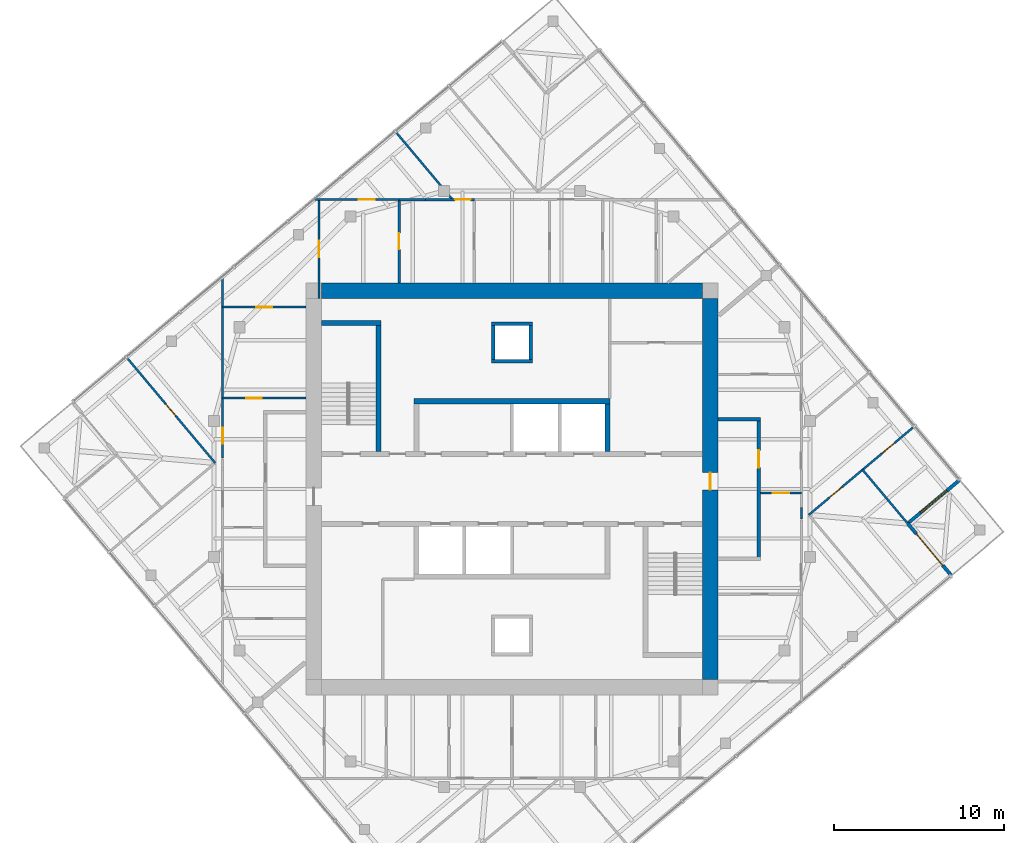
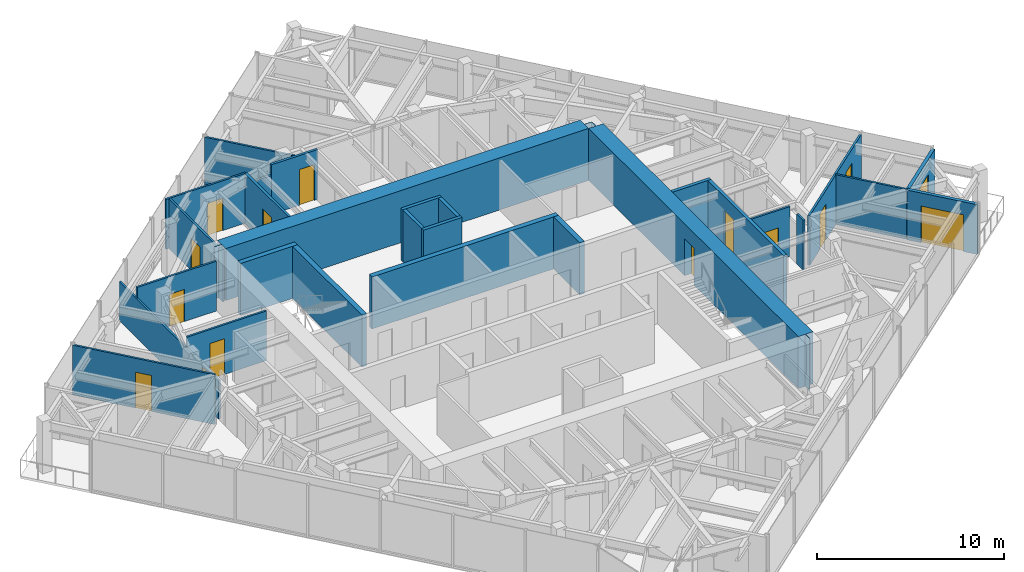
# One storey, part 9 of 11: 28 walls, 14 doors, 1 window, 15 openings.
"""IFC4 building model written with IfcOpenShell, lengths in metres."""

from ifc_helpers import new_model, si_unit, direction, frame, frame_2d, origin, place, context, subcontext, project, spatial, polyline, rectangle, outline, extrude, material, layer, layer_set, type_object, element, fill, save


model = new_model("IFC4")

# Units and contexts
model_context = context("Model", 3, precision=1e-05, world=origin(), true_north=direction((0.0, 1.0)))
body_context = subcontext(model_context, "Body", "Model", "MODEL_VIEW")
ifc_project = project(units=[si_unit("LENGTHUNIT", "METRE"), si_unit("AREAUNIT", "SQUARE_METRE"), si_unit("VOLUMEUNIT", "CUBIC_METRE"), si_unit("PLANEANGLEUNIT", "RADIAN"), si_unit("MASSUNIT", "GRAM", prefix="KILO")], contexts=[model_context])

# Site, building, storey
site_placement = place(None, origin())
site = spatial("IfcSite", under=ifc_project, at=site_placement, CompositionType="ELEMENT")
building_placement = place(site_placement, origin())
building = spatial("IfcBuilding", under=site, at=building_placement, Name="Torsade Residences", CompositionType="ELEMENT")
storey_placement = place(building_placement, frame((0.0, 0.0, 276.0)))
storey = spatial("IfcBuildingStorey", under=building, at=storey_placement, Name="L76", CompositionType="ELEMENT", Elevation=276.0)

# Walls
ifc_material_1 = material(Name="Concrete 80 MPa", Category="concrete")
ifc_layer_1 = layer(ifc_material_1, 0.300048828125)
ifc_layer_set_1 = layer_set([ifc_layer_1], Name="Concrete 80 MPa")
wall_type_1 = type_object("IfcWallType", Name="CORE INTERNAL WALL 300", PredefinedType="SHEAR", material=ifc_layer_set_1)
wall_1_placement = place(storey_placement, frame((34.25, 35.14990234375, 0.0), z_axis=(0.0, 0.0, 1.0), x_axis=(1.0, 0.0, 0.0)))
element("IfcWall", 1, at=wall_1_placement, inside=storey, type_object=wall_type_1, Name="Core wall BN L76", PredefinedType="SHEAR", context=body_context, shape_type="SweptSolid", body=[
    extrude(rectangle(XDim=11.5, YDim=0.300048828125, at=frame_2d((5.75, 0.0))), origin(), (0.0, 0.0, 1.0), 3.39990234375),
])
wall_2_placement = place(storey_placement, frame((45.60009765625, 32.199951171875, 0.0), z_axis=(0.0, 0.0, 1.0), x_axis=(0.0, 1.0, 0.0)))
element("IfcWall", 2, at=wall_2_placement, inside=storey, type_object=wall_type_1, Name="Core wall DN4 L76", PredefinedType="SHEAR", context=body_context, shape_type="SweptSolid", body=[
    extrude(rectangle(XDim=2.800048828125, YDim=0.300048828125, at=frame_2d((1.39990234375, 0.0))), origin(), (0.0, 0.0, 1.0), 3.39990234375),
])
wall_3_placement = place(storey_placement, frame((32.14990234375, 32.199951171875, 0.0), z_axis=(0.0, 0.0, 1.0), x_axis=(0.0, 1.0, 0.0)))
element("IfcWall", 3, at=wall_3_placement, inside=storey, type_object=wall_type_1, Name="Core wall ST1E L76", PredefinedType="SHEAR", context=body_context, shape_type="SweptSolid", body=[
    extrude(rectangle(XDim=7.699951171875, YDim=0.300048828125, at=frame_2d((3.85009765625, 0.0))), origin(), (0.0, 0.0, 1.0), 3.39990234375),
])
wall_4_placement = place(storey_placement, frame((28.800048828125, 39.75, 0.0), z_axis=(0.0, 0.0, 1.0), x_axis=(1.0, 0.0, 0.0)))
element("IfcWall", 4, at=wall_4_placement, inside=storey, type_object=wall_type_1, Name="Core wall ST1N L76", PredefinedType="SHEAR", context=body_context, shape_type="SweptSolid", body=[
    extrude(rectangle(XDim=3.5, YDim=0.300048828125, at=frame_2d((1.75, 0.0))), origin(), (0.0, 0.0, 1.0), 3.39990234375),
])
ifc_material_2 = material(Name="Concrete 80 MPa", Category="concrete")
ifc_layer_2 = layer(ifc_material_2, 0.89990234375)
ifc_layer_set_2 = layer_set([ifc_layer_2], Name="Concrete 80 MPa")
wall_type_2 = type_object("IfcWallType", Name="CORE WALL 900", PredefinedType="SHEAR", material=ifc_layer_set_2)
wall_5_placement = place(storey_placement, frame((28.800048828125, 41.64990234375, 0.0), z_axis=(0.0, 0.0, 1.0), x_axis=(1.0, 0.0, 0.0)))
element("IfcWall", 5, at=wall_5_placement, inside=storey, type_object=wall_type_2, Name="Core wall N L76", PredefinedType="SHEAR", context=body_context, shape_type="SweptSolid", body=[
    extrude(outline(polyline([(0.0, -0.449951171875), (22.39990234375, -0.449951171875), (22.39990234375, -0.02490234375), (22.849853515625, -0.02490234375), (22.849853515625, 0.02490234375), (22.39990234375, 0.02490234375), (22.39990234375, 0.449951171875), (0.0, 0.449951171875), (0.0, 0.02490234375), (-0.449951171875, 0.02490234375), (-0.449951171875, -0.02490234375), (0.0, -0.02490234375), (0.0, -0.449951171875)])), origin(), (0.0, 0.0, 1.0), 3.39990234375),
])

# Wall, opening, door
wall_6_placement = place(storey_placement, frame((51.64990234375, 18.800048828125, 0.0), z_axis=(0.0, 0.0, 1.0), x_axis=(0.0, 1.0, 0.0)))
wall_6 = element("IfcWall", 6, at=wall_6_placement, inside=storey, type_object=wall_type_2, Name="Core wall E L76", PredefinedType="SHEAR", context=body_context, shape_type="SweptSolid", body=[
    extrude(outline(polyline([(0.0, -0.449951171875), (22.39990234375, -0.449951171875), (22.39990234375, -0.02490234375), (22.849853515625, -0.02490234375), (22.849853515625, 0.02490234375), (22.39990234375, 0.02490234375), (22.39990234375, 0.449951171875), (0.0, 0.449951171875), (0.0, 0.02490234375), (-0.449951171875, 0.02490234375), (-0.449951171875, -0.02490234375), (0.0, -0.02490234375), (0.0, -0.449951171875)])), origin(), (0.0, 0.0, 1.0), 3.39990234375),
])
opening_1_placement = place(wall_6_placement, frame((11.139892578125, 0.0, 0.0)))
opening_1 = element("IfcOpeningElement", 7, at=opening_1_placement, cuts=wall_6, Name="Opening D04", PredefinedType="OPENING", context=body_context, shape_type="SweptSolid", body=[
    extrude(rectangle(XDim=1.02001953125, YDim=2.39990234375, at=frame_2d((0.510009765625, 1.199951171875))), frame((0.0, 0.4599609375, 0.0), z_axis=(0.0, -1.0, 0.0), x_axis=(1.0, 0.0, 0.0)), (0.0, 0.0, 1.0), 0.919921875),
])
ifc_material_3 = material(Name="Steel-framed fire door", Category="steel")
door_type_1 = type_object("IfcDoorType", Name="LOBBY SMOKE DOOR 1020x2400", OperationType="NOTDEFINED", PredefinedType="DOOR", material=ifc_material_3)
door_1_placement = place(opening_1_placement, origin())
door_1 = element("IfcDoor", 8, at=door_1_placement, inside=storey, type_object=door_type_1, Name="Lift lobby door E L76", OperationType="SINGLE_SWING_LEFT", OverallHeight=2.39990234375, OverallWidth=1.02001953125, PredefinedType="DOOR", context=body_context, shape_type="SweptSolid", body=[
    extrude(rectangle(XDim=1.02001953125, YDim=2.39990234375, at=frame_2d((0.510009765625, 1.199951171875))), frame((0.0, 0.02490234375, 0.0), z_axis=(0.0, -1.0, 0.0), x_axis=(1.0, 0.0, 0.0)), (0.0, 0.0, 1.0), 0.050048828125),
])
fill(opening_1, door_1)

ifc_material_4 = material(Name="Plasterboard on steel stud", Category="steel")
ifc_layer_3 = layer(ifc_material_4, 0.199951171875)
ifc_layer_set_3 = layer_set([ifc_layer_3], Name="Plasterboard on steel stud")
wall_type_3 = type_object("IfcWallType", Name="CORRIDOR WALL 200", PredefinedType="PARTITIONING", material=ifc_layer_set_3)
wall_7_placement = place(storey_placement, frame((54.5, 25.89990234375, 0.0), z_axis=(0.0, 0.0, 1.0), x_axis=(0.0, 1.0, 0.0)))
wall_7 = element("IfcWall", 9, at=wall_7_placement, inside=storey, type_object=wall_type_3, Name="Corridor wall L76", PredefinedType="PARTITIONING", context=body_context, shape_type="SweptSolid", body=[
    extrude(rectangle(XDim=8.2001953125, YDim=0.199951171875, at=frame_2d((4.10009765625, 0.0))), origin(), (0.0, 0.0, 1.0), 3.25),
])
opening_2_placement = place(wall_7_placement, frame((5.345703125, 0.0, 0.0)))
opening_2 = element("IfcOpeningElement", 10, at=opening_2_placement, cuts=wall_7, Name="Opening D01", PredefinedType="OPENING", context=body_context, shape_type="SweptSolid", body=[
    extrude(rectangle(XDim=1.02001953125, YDim=2.340087890625, at=frame_2d((0.510009765625, 1.169921875))), frame((0.0, 0.10986328125, 0.0), z_axis=(0.0, -1.0, 0.0), x_axis=(1.0, 0.0, 0.0)), (0.0, 0.0, 1.0), 0.219970703125),
])
ifc_material_5 = material(Name="Solid-core timber fire door", Category="wood")
door_type_2 = type_object("IfcDoorType", Name="APARTMENT ENTRY DOOR 1020x2340", OperationType="NOTDEFINED", PredefinedType="DOOR", material=ifc_material_5)
door_2_placement = place(opening_2_placement, origin())
door_2 = element("IfcDoor", 11, at=door_2_placement, inside=storey, type_object=door_type_2, Name="Door Residential corridor to Kitchen and dining", OperationType="SINGLE_SWING_RIGHT", OverallHeight=2.340087890625, OverallWidth=1.02001953125, PredefinedType="DOOR", context=body_context, shape_type="SweptSolid", body=[
    extrude(rectangle(XDim=1.02001953125, YDim=2.340087890625, at=frame_2d((0.510009765625, 1.169921875))), frame((0.0, 0.02490234375, 0.0), z_axis=(0.0, -1.0, 0.0), x_axis=(1.0, 0.0, 0.0)), (0.0, 0.0, 1.0), 0.050048828125),
])
fill(opening_2, door_2)

# Wall
wall_8_placement = place(storey_placement, frame((52.10009765625, 34.10009765625, 0.0), z_axis=(0.0, 0.0, 1.0), x_axis=(1.0, 0.0, 0.0)))
element("IfcWall", 12, at=wall_8_placement, inside=storey, type_object=wall_type_3, Name="Corridor wall L76", PredefinedType="PARTITIONING", context=body_context, shape_type="SweptSolid", body=[
    extrude(rectangle(XDim=2.5, YDim=0.199951171875, at=frame_2d((1.25, 0.0))), origin(), (0.0, 0.0, 1.0), 3.25),
])

# Wall, opening, door
ifc_material_6 = material(Name="Plasterboard on steel stud", Category="steel")
ifc_layer_4 = layer(ifc_material_6, 0.1201171875)
ifc_layer_set_4 = layer_set([ifc_layer_4], Name="Plasterboard on steel stud")
wall_type_4 = type_object("IfcWallType", Name="PARTITION 120", PredefinedType="PARTITIONING", material=ifc_layer_set_4)
wall_9_placement = place(storey_placement, frame((57.0, 29.761474609375, 0.0), z_axis=(0.0, 0.0, 1.0), x_axis=(-1.0, 0.0, 0.0)))
wall_9 = element("IfcWall", 13, at=wall_9_placement, inside=storey, type_object=wall_type_4, Name="Partition L76", PredefinedType="PARTITIONING", context=body_context, shape_type="SweptSolid", body=[
    extrude(rectangle(XDim=2.39990234375, YDim=0.1201171875, at=frame_2d((1.199951171875, 0.0))), origin(), (0.0, 0.0, 1.0), 3.25),
])
opening_3_placement = place(wall_9_placement, frame((0.719970703125, 0.0, 0.0)))
opening_3 = element("IfcOpeningElement", 14, at=opening_3_placement, cuts=wall_9, Name="Opening D05", PredefinedType="OPENING", context=body_context, shape_type="SweptSolid", body=[
    extrude(rectangle(XDim=0.9599609375, YDim=2.10009765625, at=frame_2d((0.47998046875, 1.050048828125))), frame((0.0, 0.070068359375, 0.0), z_axis=(0.0, -1.0, 0.0), x_axis=(1.0, 0.0, 0.0)), (0.0, 0.0, 1.0), 0.14013671875),
])
ifc_material_7 = material(Name="Hollow-core timber door in a steel cavity frame", Category="steel")
door_type_3 = type_object("IfcDoorType", Name="BATHROOM CAVITY SLIDING DOOR 960", OperationType="SLIDING_TO_LEFT", PredefinedType="DOOR", material=ifc_material_7)
door_3_placement = place(opening_3_placement, origin())
door_3 = element("IfcDoor", 15, at=door_3_placement, inside=storey, type_object=door_type_3, Name="Door Kitchen and dining to Bathroom", OperationType="SLIDING_TO_LEFT", OverallHeight=2.10009765625, OverallWidth=0.9599609375, PredefinedType="DOOR", context=body_context, shape_type="SweptSolid", body=[
    extrude(rectangle(XDim=0.9599609375, YDim=2.10009765625, at=frame_2d((0.47998046875, 1.050048828125))), frame((0.0, 0.02490234375, 0.0), z_axis=(0.0, -1.0, 0.0), x_axis=(1.0, 0.0, 0.0)), (0.0, 0.0, 1.0), 0.050048828125),
])
fill(opening_3, door_3)

# Wall, openings, doors
wall_10_placement = place(storey_placement, frame((57.434326171875, 28.474609375, 0.0), z_axis=(0.0, 0.0, 1.0), x_axis=(0.766033729027, 0.642800378028, 0.0)))
wall_10 = element("IfcWall", 16, at=wall_10_placement, inside=storey, type_object=wall_type_4, Name="Partition L76", PredefinedType="PARTITIONING", context=body_context, shape_type="SweptSolid", body=[
    extrude(rectangle(XDim=8.0849609375, YDim=0.1201171875, at=frame_2d((4.04248046875, 0.0))), origin(), (0.0, 0.0, 1.0), 3.25),
])
opening_4_placement = place(wall_10_placement, frame((1.6025390625, 0.0, 0.0)))
opening_4 = element("IfcOpeningElement", 17, at=opening_4_placement, cuts=wall_10, Name="Opening D02", PredefinedType="OPENING", context=body_context, shape_type="SweptSolid", body=[
    extrude(rectangle(XDim=0.919921875, YDim=2.340087890625, at=frame_2d((0.4599609375, 1.169921875))), frame((0.0, 0.070068359375, 0.0), z_axis=(0.0, -1.0, 0.0), x_axis=(1.0, 0.0, 0.0)), (0.0, 0.0, 1.0), 0.14013671875),
])
opening_5_placement = place(wall_10_placement, frame((5.639892578125, 0.0, 0.0)))
opening_5 = element("IfcOpeningElement", 18, at=opening_5_placement, cuts=wall_10, Name="Opening D02", PredefinedType="OPENING", context=body_context, shape_type="SweptSolid", body=[
    extrude(rectangle(XDim=0.919921875, YDim=2.340087890625, at=frame_2d((0.4599609375, 1.169921875))), frame((0.0, 0.070068359375, 0.0), z_axis=(0.0, -1.0, 0.0), x_axis=(1.0, 0.0, 0.0)), (0.0, 0.0, 1.0), 0.14013671875),
])
ifc_material_8 = material(Name="Hollow-core timber door", Category="wood")
door_type_4 = type_object("IfcDoorType", Name="INTERNAL DOOR 920x2340", OperationType="NOTDEFINED", PredefinedType="DOOR", material=ifc_material_8)
door_4_placement = place(opening_4_placement, origin())
door_4 = element("IfcDoor", 19, at=door_4_placement, inside=storey, type_object=door_type_4, Name="Door Bedroom 4 to Bedroom 1", OperationType="SINGLE_SWING_LEFT", OverallHeight=2.340087890625, OverallWidth=0.919921875, PredefinedType="DOOR", context=body_context, shape_type="SweptSolid", body=[
    extrude(rectangle(XDim=0.919921875, YDim=2.340087890625, at=frame_2d((0.4599609375, 1.169921875))), frame((0.0, 0.02490234375, 0.0), z_axis=(0.0, -1.0, 0.0), x_axis=(1.0, 0.0, 0.0)), (0.0, 0.0, 1.0), 0.050048828125),
])
fill(opening_4, door_4)
door_5_placement = place(opening_5_placement, origin())
door_5 = element("IfcDoor", 20, at=door_5_placement, inside=storey, type_object=door_type_4, Name="Door Bedroom 4 to Study 2", OperationType="SINGLE_SWING_LEFT", OverallHeight=2.340087890625, OverallWidth=0.919921875, PredefinedType="DOOR", context=body_context, shape_type="SweptSolid", body=[
    extrude(rectangle(XDim=0.919921875, YDim=2.340087890625, at=frame_2d((0.4599609375, 1.169921875))), frame((0.0, 0.02490234375, 0.0), z_axis=(0.0, -1.0, 0.0), x_axis=(1.0, 0.0, 0.0)), (0.0, 0.0, 1.0), 0.050048828125),
])
fill(opening_5, door_5)

# Wall
wall_11_placement = place(storey_placement, frame((60.59423828125, 31.126220703125, 0.0), z_axis=(0.0, 0.0, 1.0), x_axis=(0.642767300664, -0.766061483953, 0.0)))
element("IfcWall", 21, at=wall_11_placement, inside=storey, type_object=wall_type_4, Name="Partition L76", PredefinedType="PARTITIONING", context=body_context, shape_type="SweptSolid", body=[
    extrude(rectangle(XDim=4.0849609375, YDim=0.1201171875, at=frame_2d((2.04248046875, 0.0))), origin(), (0.0, 0.0, 1.0), 3.25),
])

# Wall, opening, door
wall_12_placement = place(storey_placement, frame((23.0, 35.333251953125, 0.0), z_axis=(0.0, 0.0, 1.0), x_axis=(1.0, 0.0, 0.0)))
wall_12 = element("IfcWall", 22, at=wall_12_placement, inside=storey, type_object=wall_type_4, Name="Partition L76", PredefinedType="PARTITIONING", context=body_context, shape_type="SweptSolid", body=[
    extrude(rectangle(XDim=4.89990234375, YDim=0.1201171875, at=frame_2d((2.449951171875, 0.0))), origin(), (0.0, 0.0, 1.0), 3.25),
])
opening_6_placement = place(wall_12_placement, frame((1.389892578125, 0.0, 0.0)))
opening_6 = element("IfcOpeningElement", 23, at=opening_6_placement, cuts=wall_12, Name="Opening D02", PredefinedType="OPENING", context=body_context, shape_type="SweptSolid", body=[
    extrude(rectangle(XDim=0.919921875, YDim=2.340087890625, at=frame_2d((0.4599609375, 1.169921875))), frame((0.0, 0.070068359375, 0.0), z_axis=(0.0, -1.0, 0.0), x_axis=(1.0, 0.0, 0.0)), (0.0, 0.0, 1.0), 0.14013671875),
])
door_6_placement = place(opening_6_placement, origin())
door_6 = element("IfcDoor", 24, at=door_6_placement, inside=storey, type_object=door_type_4, Name="Door Kitchen and dining to Scullery", OperationType="SINGLE_SWING_LEFT", OverallHeight=2.340087890625, OverallWidth=0.919921875, PredefinedType="DOOR", context=body_context, shape_type="SweptSolid", body=[
    extrude(rectangle(XDim=0.919921875, YDim=2.340087890625, at=frame_2d((0.4599609375, 1.169921875))), frame((0.0, 0.02490234375, 0.0), z_axis=(0.0, -1.0, 0.0), x_axis=(1.0, 0.0, 0.0)), (0.0, 0.0, 1.0), 0.050048828125),
])
fill(opening_6, door_6)

wall_13_placement = place(storey_placement, frame((23.0, 31.824462890625, 0.0), z_axis=(0.0, 0.0, 1.0), x_axis=(0.0, 1.0, 0.0)))
wall_13 = element("IfcWall", 25, at=wall_13_placement, inside=storey, type_object=wall_type_4, Name="Partition L76", PredefinedType="PARTITIONING", context=body_context, shape_type="SweptSolid", body=[
    extrude(rectangle(XDim=10.619384765625, YDim=0.1201171875, at=frame_2d((5.3095703125, 0.0))), origin(), (0.0, 0.0, 1.0), 2.549072265625),
])
opening_7_placement = place(wall_13_placement, frame((0.844482421875, 0.0, 0.0)))
opening_7 = element("IfcOpeningElement", 26, at=opening_7_placement, cuts=wall_13, Name="Opening D02", PredefinedType="OPENING", context=body_context, shape_type="SweptSolid", body=[
    extrude(rectangle(XDim=0.919921875, YDim=2.340087890625, at=frame_2d((0.4599609375, 1.169921875))), frame((0.0, 0.070068359375, 0.0), z_axis=(0.0, -1.0, 0.0), x_axis=(1.0, 0.0, 0.0)), (0.0, 0.0, 1.0), 0.14013671875),
])
door_7_placement = place(opening_7_placement, origin())
door_7 = element("IfcDoor", 27, at=door_7_placement, inside=storey, type_object=door_type_4, Name="Door Kitchen and dining to Bedroom 3", OperationType="SINGLE_SWING_RIGHT", OverallHeight=2.340087890625, OverallWidth=0.919921875, PredefinedType="DOOR", context=body_context, shape_type="SweptSolid", body=[
    extrude(rectangle(XDim=0.919921875, YDim=2.340087890625, at=frame_2d((0.4599609375, 1.169921875))), frame((0.0, 0.02490234375, 0.0), z_axis=(0.0, -1.0, 0.0), x_axis=(1.0, 0.0, 0.0)), (0.0, 0.0, 1.0), 0.050048828125),
])
fill(opening_7, door_7)

wall_14_placement = place(storey_placement, frame((23.0, 40.67626953125, 0.0), z_axis=(0.0, 0.0, 1.0), x_axis=(1.0, 0.0, 0.0)))
wall_14 = element("IfcWall", 28, at=wall_14_placement, inside=storey, type_object=wall_type_4, Name="Partition L76", PredefinedType="PARTITIONING", context=body_context, shape_type="SweptSolid", body=[
    extrude(rectangle(XDim=4.89990234375, YDim=0.1201171875, at=frame_2d((2.449951171875, 0.0))), origin(), (0.0, 0.0, 1.0), 3.25),
])
opening_8_placement = place(wall_14_placement, frame((1.989990234375, 0.0, 0.0)))
opening_8 = element("IfcOpeningElement", 29, at=opening_8_placement, cuts=wall_14, Name="Opening D02L", PredefinedType="OPENING", context=body_context, shape_type="SweptSolid", body=[
    extrude(rectangle(XDim=0.919921875, YDim=2.10009765625, at=frame_2d((0.4599609375, 1.050048828125))), frame((0.0, 0.070068359375, 0.0), z_axis=(0.0, -1.0, 0.0), x_axis=(1.0, 0.0, 0.0)), (0.0, 0.0, 1.0), 0.14013671875),
])
ifc_material_9 = material(Name="Hollow-core timber door", Category="wood")
door_type_5 = type_object("IfcDoorType", Name="INTERNAL DOOR 920x2100", OperationType="NOTDEFINED", PredefinedType="DOOR", material=ifc_material_9)
door_8_placement = place(opening_8_placement, origin())
door_8 = element("IfcDoor", 30, at=door_8_placement, inside=storey, type_object=door_type_5, Name="Door Scullery to Dressing room 2", OperationType="SINGLE_SWING_LEFT", OverallHeight=2.10009765625, OverallWidth=0.919921875, PredefinedType="DOOR", context=body_context, shape_type="SweptSolid", body=[
    extrude(rectangle(XDim=0.919921875, YDim=2.10009765625, at=frame_2d((0.4599609375, 1.050048828125))), frame((0.0, 0.02490234375, 0.0), z_axis=(0.0, -1.0, 0.0), x_axis=(1.0, 0.0, 0.0)), (0.0, 0.0, 1.0), 0.050048828125),
])
fill(opening_8, door_8)

wall_15_placement = place(storey_placement, frame((28.66259765625, 41.179931640625, 0.0), z_axis=(0.0, 0.0, 1.0), x_axis=(0.0, 1.0, 0.0)))
wall_15 = element("IfcWall", 31, at=wall_15_placement, inside=storey, type_object=wall_type_4, Name="Partition L76", PredefinedType="PARTITIONING", context=body_context, shape_type="SweptSolid", body=[
    extrude(rectangle(XDim=5.820068359375, YDim=0.1201171875, at=frame_2d((2.91015625, 0.0))), origin(), (0.0, 0.0, 1.0), 3.25),
])
opening_9_placement = place(wall_15_placement, frame((2.43994140625, 0.0, 0.0)))
opening_9 = element("IfcOpeningElement", 32, at=opening_9_placement, cuts=wall_15, Name="Opening D05", PredefinedType="OPENING", context=body_context, shape_type="SweptSolid", body=[
    extrude(rectangle(XDim=0.9599609375, YDim=2.10009765625, at=frame_2d((0.47998046875, 1.050048828125))), frame((0.0, 0.070068359375, 0.0), z_axis=(0.0, -1.0, 0.0), x_axis=(1.0, 0.0, 0.0)), (0.0, 0.0, 1.0), 0.14013671875),
])
door_9_placement = place(opening_9_placement, origin())
door_9 = element("IfcDoor", 33, at=door_9_placement, inside=storey, type_object=door_type_3, Name="Door Dressing room 2 to Ensuite", OperationType="SLIDING_TO_LEFT", OverallHeight=2.10009765625, OverallWidth=0.9599609375, PredefinedType="DOOR", context=body_context, shape_type="SweptSolid", body=[
    extrude(rectangle(XDim=0.9599609375, YDim=2.10009765625, at=frame_2d((0.47998046875, 1.050048828125))), frame((0.0, 0.02490234375, 0.0), z_axis=(0.0, -1.0, 0.0), x_axis=(1.0, 0.0, 0.0)), (0.0, 0.0, 1.0), 0.050048828125),
])
fill(opening_9, door_9)

wall_16_placement = place(storey_placement, frame((28.4296875, 47.0, 0.0), z_axis=(0.0, 0.0, 1.0), x_axis=(1.0, 0.0, 0.0)))
wall_16 = element("IfcWall", 34, at=wall_16_placement, inside=storey, type_object=wall_type_4, Name="Partition L76", PredefinedType="PARTITIONING", context=body_context, shape_type="SweptSolid", body=[
    extrude(rectangle(XDim=4.934326171875, YDim=0.1201171875, at=frame_2d((2.46728515625, 0.0))), origin(), (0.0, 0.0, 1.0), 3.25),
])
opening_10_placement = place(wall_16_placement, frame((2.553466796875, 0.0, 0.0)))
opening_10 = element("IfcOpeningElement", 35, at=opening_10_placement, cuts=wall_16, Name="Opening D05", PredefinedType="OPENING", context=body_context, shape_type="SweptSolid", body=[
    extrude(rectangle(XDim=0.9599609375, YDim=2.10009765625, at=frame_2d((0.47998046875, 1.050048828125))), frame((0.0, 0.070068359375, 0.0), z_axis=(0.0, -1.0, 0.0), x_axis=(1.0, 0.0, 0.0)), (0.0, 0.0, 1.0), 0.14013671875),
])
door_10_placement = place(opening_10_placement, origin())
door_10 = element("IfcDoor", 36, at=door_10_placement, inside=storey, type_object=door_type_3, Name="Door Ensuite to Family room", OperationType="SLIDING_TO_LEFT", OverallHeight=2.10009765625, OverallWidth=0.9599609375, PredefinedType="DOOR", context=body_context, shape_type="SweptSolid", body=[
    extrude(rectangle(XDim=0.9599609375, YDim=2.10009765625, at=frame_2d((0.47998046875, 1.050048828125))), frame((0.0, 0.02490234375, 0.0), z_axis=(0.0, -1.0, 0.0), x_axis=(1.0, 0.0, 0.0)), (0.0, 0.0, 1.0), 0.050048828125),
])
fill(opening_10, door_10)

wall_17_placement = place(storey_placement, frame((17.36865234375, 37.71875, 0.0), z_axis=(0.0, 0.0, 1.0), x_axis=(0.642800378028, -0.766033729027, 0.0)))
wall_17 = element("IfcWall", 37, at=wall_17_placement, inside=storey, type_object=wall_type_4, Name="Partition L76", PredefinedType="PARTITIONING", context=body_context, shape_type="SweptSolid", body=[
    extrude(rectangle(XDim=8.0849609375, YDim=0.1201171875, at=frame_2d((4.04248046875, 0.0))), origin(), (0.0, 0.0, 1.0), 3.25),
])
opening_11_placement = place(wall_17_placement, frame((3.5625, 0.0, 0.0)))
opening_11 = element("IfcOpeningElement", 38, at=opening_11_placement, cuts=wall_17, Name="Opening D02", PredefinedType="OPENING", context=body_context, shape_type="SweptSolid", body=[
    extrude(rectangle(XDim=0.919921875, YDim=2.340087890625, at=frame_2d((0.4599609375, 1.169921875))), frame((0.0, 0.070068359375, 0.0), z_axis=(0.0, -1.0, 0.0), x_axis=(1.0, 0.0, 0.0)), (0.0, 0.0, 1.0), 0.14013671875),
])
door_11_placement = place(opening_11_placement, origin())
door_11 = element("IfcDoor", 39, at=door_11_placement, inside=storey, type_object=door_type_4, Name="Door Bedroom 3 to Bedroom 1", OperationType="SINGLE_SWING_RIGHT", OverallHeight=2.340087890625, OverallWidth=0.919921875, PredefinedType="DOOR", context=body_context, shape_type="SweptSolid", body=[
    extrude(rectangle(XDim=0.919921875, YDim=2.340087890625, at=frame_2d((0.4599609375, 1.169921875))), frame((0.0, 0.02490234375, 0.0), z_axis=(0.0, -1.0, 0.0), x_axis=(1.0, 0.0, 0.0)), (0.0, 0.0, 1.0), 0.050048828125),
])
fill(opening_11, door_11)

# Walls
wall_18_placement = place(storey_placement, frame((36.5048828125, 47.0, 0.0), z_axis=(0.0, 0.0, 1.0), x_axis=(-0.642776136034, 0.76605407051, 0.0)))
element("IfcWall", 40, at=wall_18_placement, inside=storey, type_object=wall_type_4, Name="Partition L76", PredefinedType="PARTITIONING", context=body_context, shape_type="SweptSolid", body=[
    extrude(rectangle(XDim=5.190673828125, YDim=0.1201171875, at=frame_2d((2.59521484375, 0.0))), origin(), (0.0, 0.0, 1.0), 3.25),
])
wall_19_placement = place(storey_placement, frame((57.0, 28.91455078125, 0.0), z_axis=(0.0, 0.0, 1.0), x_axis=(0.0, -1.0, 0.0)))
element("IfcWall", 41, at=wall_19_placement, inside=storey, type_object=wall_type_4, Name="Partition L76", PredefinedType="PARTITIONING", context=body_context, shape_type="SweptSolid", body=[
    extrude(rectangle(XDim=0.67578125, YDim=0.1201171875, at=frame_2d((0.337890625, 0.0))), origin(), (0.0, 0.0, 1.0), 3.25),
])
ifc_material_10 = material(Name="Reinforced blockwork", Category="masonry")
ifc_layer_5 = layer(ifc_material_10, 0.199951171875)
ifc_layer_set_5 = layer_set([ifc_layer_5], Name="Reinforced blockwork")
wall_type_5 = type_object("IfcWallType", Name="RISER SHAFT WALL 200", PredefinedType="SOLIDWALL", material=ifc_layer_set_5)
for number, where, z_axis, x_axis, name in (
    (42, (38.89990234375, 37.60009765625, 0.0), (0.0, 0.0, 1.0), (0.0, 1.0, 0.0), "Core wall RS1a L76"),
    (43, (41.10009765625, 37.60009765625, 0.0), (0.0, 0.0, 1.0), (0.0, 1.0, 0.0), "Core wall RS1b L76"),
):
    element("IfcWall", number, at=place(storey_placement, frame(where, z_axis=z_axis, x_axis=x_axis)), inside=storey, type_object=wall_type_5, Name=name, PredefinedType="SOLIDWALL", context=body_context, shape_type="SweptSolid", body=[
        extrude(rectangle(XDim=2.0, YDim=0.199951171875, at=frame_2d((1.0, 0.0))), origin(), (0.0, 0.0, 1.0), 3.39990234375),
    ])
for number, where, z_axis, x_axis, name in (
    (44, (38.800048828125, 37.5, 0.0), (0.0, 0.0, 1.0), (1.0, 0.0, 0.0), "Core wall RS1c L76"),
    (45, (38.800048828125, 39.699951171875, 0.0), (0.0, 0.0, 1.0), (1.0, 0.0, 0.0), "Core wall RS1d L76"),
):
    element("IfcWall", number, at=place(storey_placement, frame(where, z_axis=z_axis, x_axis=x_axis)), inside=storey, type_object=wall_type_5, Name=name, PredefinedType="SOLIDWALL", context=body_context, shape_type="SweptSolid", body=[
        extrude(rectangle(XDim=2.39990234375, YDim=0.199951171875, at=frame_2d((1.199951171875, 0.0))), origin(), (0.0, 0.0, 1.0), 3.39990234375),
    ])

# Wall, opening, door
ifc_material_11 = material(Name="Reinforced blockwork", Category="masonry")
ifc_layer_6 = layer(ifc_material_11, 0.14990234375)
ifc_layer_set_6 = layer_set([ifc_layer_6], Name="Reinforced blockwork")
wall_type_6 = type_object("IfcWallType", Name="SERVICE ROOM WALL 150", PredefinedType="SOLIDWALL", material=ifc_layer_set_6)
wall_20_placement = place(storey_placement, frame((33.364013671875, 47.0, 0.0), z_axis=(0.0, 0.0, 1.0), x_axis=(0.0, -1.0, 0.0)))
wall_20 = element("IfcWall", 46, at=wall_20_placement, inside=storey, type_object=wall_type_6, Name="Service room wall L76", PredefinedType="SOLIDWALL", context=body_context, shape_type="SweptSolid", body=[
    extrude(rectangle(XDim=4.89990234375, YDim=0.14990234375, at=frame_2d((2.449951171875, 0.0))), origin(), (0.0, 0.0, 1.0), 3.25),
])
opening_12_placement = place(wall_20_placement, frame((1.969970703125, 0.0, 0.0)))
opening_12 = element("IfcOpeningElement", 47, at=opening_12_placement, cuts=wall_20, Name="Opening D05", PredefinedType="OPENING", context=body_context, shape_type="SweptSolid", body=[
    extrude(rectangle(XDim=0.9599609375, YDim=2.10009765625, at=frame_2d((0.47998046875, 1.050048828125))), frame((0.0, 0.0849609375, 0.0), z_axis=(0.0, -1.0, 0.0), x_axis=(1.0, 0.0, 0.0)), (0.0, 0.0, 1.0), 0.169921875),
])
door_12_placement = place(opening_12_placement, origin())
door_12 = element("IfcDoor", 48, at=door_12_placement, inside=storey, type_object=door_type_3, Name="Door Ensuite to Linen store", OperationType="SLIDING_TO_LEFT", OverallHeight=2.10009765625, OverallWidth=0.9599609375, PredefinedType="DOOR", context=body_context, shape_type="SweptSolid", body=[
    extrude(rectangle(XDim=0.9599609375, YDim=2.10009765625, at=frame_2d((0.47998046875, 1.050048828125))), frame((0.0, 0.02490234375, 0.0), z_axis=(0.0, -1.0, 0.0), x_axis=(1.0, 0.0, 0.0)), (0.0, 0.0, 1.0), 0.050048828125),
])
fill(opening_12, door_12)

# Wall
wall_21_placement = place(storey_placement, frame((33.364013671875, 47.0, 0.0), z_axis=(0.0, 0.0, 1.0), x_axis=(1.0, 0.0, 0.0)))
element("IfcWall", 49, at=wall_21_placement, inside=storey, type_object=wall_type_6, Name="Service room wall L76", PredefinedType="SOLIDWALL", context=body_context, shape_type="SweptSolid", body=[
    extrude(rectangle(XDim=1.552734375, YDim=0.14990234375, at=frame_2d((0.7763671875, 0.0))), origin(), (0.0, 0.0, 1.0), 2.549072265625),
])

# Wall, opening, door
wall_22_placement = place(storey_placement, frame((34.916748046875, 47.0, 0.0), z_axis=(0.0, 0.0, 1.0), x_axis=(1.0, 0.0, 0.0)))
wall_22 = element("IfcWall", 50, at=wall_22_placement, inside=storey, type_object=wall_type_6, Name="Service room wall L76", PredefinedType="SOLIDWALL", context=body_context, shape_type="SweptSolid", body=[
    extrude(rectangle(XDim=2.869384765625, YDim=0.14990234375, at=frame_2d((1.4345703125, 0.0))), origin(), (0.0, 0.0, 1.0), 3.25),
])
opening_13_placement = place(wall_22_placement, frame((1.736083984375, 0.0, 0.0)))
opening_13 = element("IfcOpeningElement", 51, at=opening_13_placement, cuts=wall_22, Name="Opening D02", PredefinedType="OPENING", context=body_context, shape_type="SweptSolid", body=[
    extrude(rectangle(XDim=0.919921875, YDim=2.340087890625, at=frame_2d((0.4599609375, 1.169921875))), frame((0.0, 0.0849609375, 0.0), z_axis=(0.0, -1.0, 0.0), x_axis=(1.0, 0.0, 0.0)), (0.0, 0.0, 1.0), 0.169921875),
])
door_13_placement = place(opening_13_placement, origin())
door_13 = element("IfcDoor", 52, at=door_13_placement, inside=storey, type_object=door_type_4, Name="Door Linen store to Bedroom 4", OperationType="SINGLE_SWING_LEFT", OverallHeight=2.340087890625, OverallWidth=0.919921875, PredefinedType="DOOR", context=body_context, shape_type="SweptSolid", body=[
    extrude(rectangle(XDim=0.919921875, YDim=2.340087890625, at=frame_2d((0.4599609375, 1.169921875))), frame((0.0, 0.02490234375, 0.0), z_axis=(0.0, -1.0, 0.0), x_axis=(1.0, 0.0, 0.0)), (0.0, 0.0, 1.0), 0.050048828125),
])
fill(opening_13, door_13)

ifc_material_12 = material(Name="Stone-faced precast concrete 40 MPa panel", Category="masonry")
ifc_layer_7 = layer(ifc_material_12, 0.199951171875)
ifc_layer_set_7 = layer_set([ifc_layer_7], Name="Stone-faced precast concrete 40 MPa panel")
wall_type_7 = type_object("IfcWallType", Name="TERRACE WALL 200", PredefinedType="SOLIDWALL", material=ifc_layer_set_7)
wall_23_placement = place(storey_placement, frame((65.81689453125, 24.902099609375, 0.0), z_axis=(0.0, 0.0, 1.0), x_axis=(-0.642768287094, 0.766060656284, 0.0)))
wall_23 = element("IfcWall", 53, at=wall_23_placement, inside=storey, type_object=wall_type_7, Name="Terrace wall L76 2", PredefinedType="SOLIDWALL", context=body_context, shape_type="SweptSolid", body=[
    extrude(rectangle(XDim=4.0, YDim=0.199951171875, at=frame_2d((2.0, 0.0))), origin(), (0.0, 0.0, 1.0), 3.25),
])
opening_14_placement = place(wall_23_placement, frame((0.800048828125, 0.0, 0.0)))
opening_14 = element("IfcOpeningElement", 54, at=opening_14_placement, cuts=wall_23, Name="Opening D10", PredefinedType="OPENING", context=body_context, shape_type="SweptSolid", body=[
    extrude(rectangle(XDim=2.39990234375, YDim=2.39990234375, at=frame_2d((1.199951171875, 1.199951171875))), frame((0.0, 0.10986328125, 0.0), z_axis=(0.0, -1.0, 0.0), x_axis=(1.0, 0.0, 0.0)), (0.0, 0.0, 1.0), 0.219970703125),
])
ifc_material_13 = material(Name="Aluminium-framed glass door", Category="aluminium")
door_type_6 = type_object("IfcDoorType", Name="TERRACE SLIDING DOOR 2400", OperationType="SLIDING_TO_LEFT", PredefinedType="DOOR", material=ifc_material_13)
door_14_placement = place(opening_14_placement, origin())
door_14 = element("IfcDoor", 55, at=door_14_placement, inside=storey, type_object=door_type_6, Name="Terrace door L76 2", OperationType="SLIDING_TO_LEFT", OverallHeight=2.39990234375, OverallWidth=2.39990234375, PredefinedType="DOOR", context=body_context, shape_type="SweptSolid", body=[
    extrude(rectangle(XDim=2.39990234375, YDim=2.39990234375, at=frame_2d((1.199951171875, 1.199951171875))), frame((0.0, 0.02490234375, 0.0), z_axis=(0.0, -1.0, 0.0), x_axis=(1.0, 0.0, 0.0)), (0.0, 0.0, 1.0), 0.050048828125),
])
fill(opening_14, door_14)

# Wall, opening, window
wall_24_placement = place(storey_placement, frame((63.245849609375, 27.96630859375, 0.0), z_axis=(0.0, 0.0, 1.0), x_axis=(0.766035437498, 0.642798342015, 0.0)))
wall_24 = element("IfcWall", 56, at=wall_24_placement, inside=storey, type_object=wall_type_7, Name="Terrace wall L76 3", PredefinedType="SOLIDWALL", context=body_context, shape_type="SweptSolid", body=[
    extrude(rectangle(XDim=3.999755859375, YDim=0.199951171875, at=frame_2d((2.0, 0.0))), origin(), (0.0, 0.0, 1.0), 3.25),
])
opening_15_placement = place(wall_24_placement, frame((1.0, 0.0, 0.449951171875)))
opening_15 = element("IfcOpeningElement", 57, at=opening_15_placement, cuts=wall_24, Name="Opening W1B", PredefinedType="OPENING", context=body_context, shape_type="SweptSolid", body=[
    extrude(rectangle(XDim=2.0, YDim=1.800048828125, at=frame_2d((1.0, 0.89990234375))), frame((0.0, 0.10986328125, 0.0), z_axis=(0.0, -1.0, 0.0), x_axis=(1.0, 0.0, 0.0)), (0.0, 0.0, 1.0), 0.219970703125),
])
ifc_material_14 = material(Name="Aluminium-framed glass window", Category="aluminium")
window_type = type_object("IfcWindowType", Name="TERRACE WINDOW 2000x1800", PartitioningType="SINGLE_PANEL", PredefinedType="WINDOW", material=ifc_material_14)
window_placement = place(opening_15_placement, origin())
window = element("IfcWindow", 58, at=window_placement, inside=storey, type_object=window_type, Name="Terrace window L76 3", OverallHeight=1.800048828125, OverallWidth=2.0, PartitioningType="SINGLE_PANEL", PredefinedType="WINDOW", context=body_context, shape_type="SweptSolid", body=[
    extrude(rectangle(XDim=2.0, YDim=1.800048828125, at=frame_2d((1.0, 0.89990234375))), frame((0.0, 0.030029296875, 0.0), z_axis=(0.0, -1.0, 0.0), x_axis=(1.0, 0.0, 0.0)), (0.0, 0.0, 1.0), 0.06005859375),
])
fill(opening_15, window)

save(model, "model.ifc")
